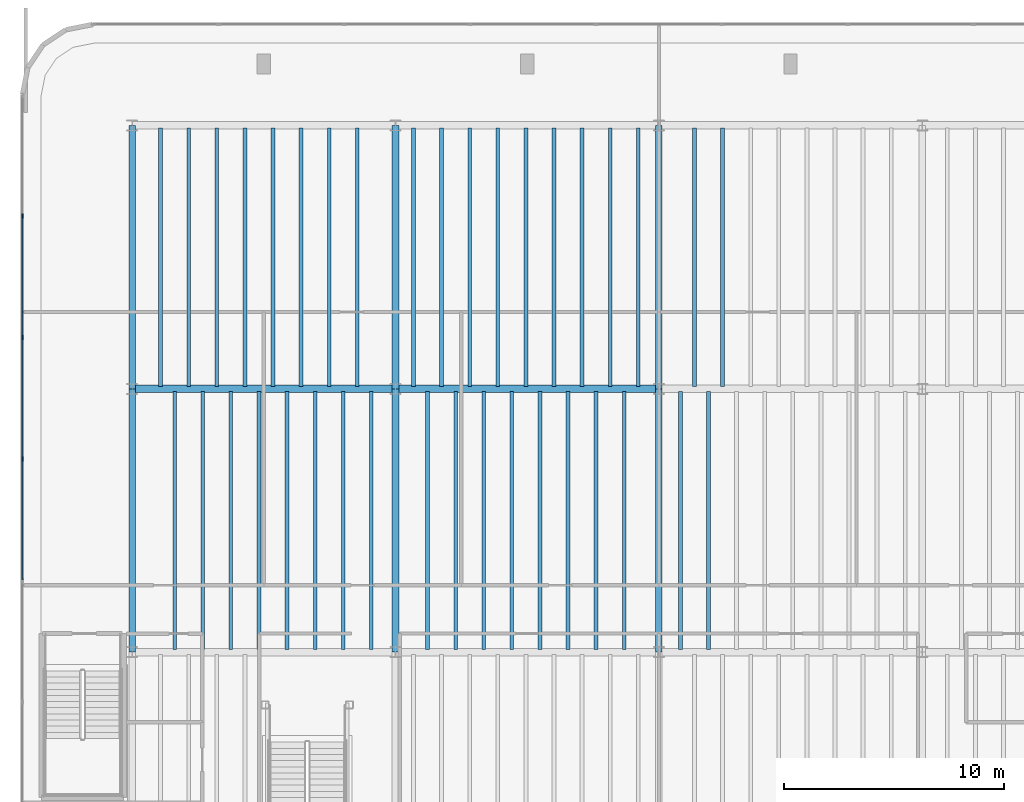
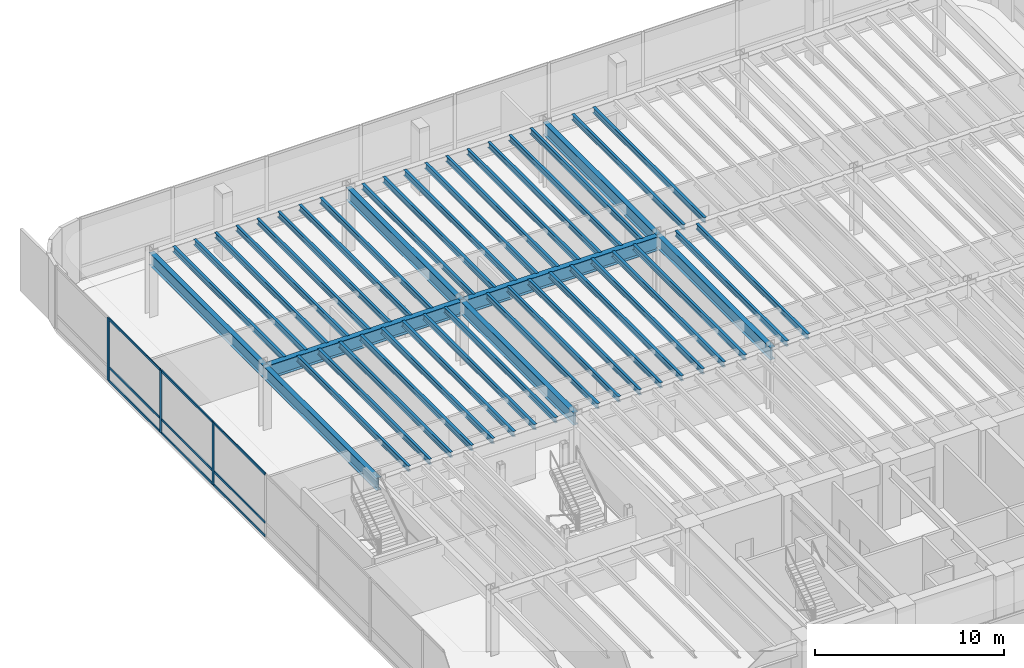
# One storey, part 7 of 18: 45 beams, 12 members, 1 element without a shape of its own.
"""IFC4 building model written with IfcOpenShell, lengths in metres."""

import ifcopenshell
import ifcopenshell.guid

model = None  # the IFC model being written
_history = None  # IfcOwnerHistory: only IFC2X3 demands one
_inside = {}  # id of a spatial element -> (the spatial element, [elements in it])
_under = {}  # id of a project, library or spatial element -> (it, [spatial elements below it])
_declared = {}  # id of a project -> (the project, [libraries it declares])
_typed = {}  # id of a type object -> (the type object, [elements of that type])
_made_of = {}  # id of a material, layer set ... -> (it, [elements and type objects made of it])


def new_model(schema):
    """Start an empty IFC model of exactly this schema.

    Asked for "IFC4X3", IfcOpenShell would pick the latest addendum, in which some entities
    have other attributes; the version numbers below select the first issue.
    IFC2X3 requires an IfcOwnerHistory on every rooted entity: one is made here for all.
    """
    global model, _history
    if schema == "IFC4X3":
        model = ifcopenshell.file(schema_version=(4, 3, 0, 0))
    else:
        model = ifcopenshell.file(schema=schema)
    _inside.clear()
    _under.clear()
    _declared.clear()
    _typed.clear()
    _made_of.clear()
    _history = None
    if model.schema == "IFC2X3":
        org = make("IfcOrganization", Name="unknown")
        user = make(
            "IfcPersonAndOrganization",
            ThePerson=make("IfcPerson", FamilyName="unknown"),
            TheOrganization=org,
        )
        app = make(
            "IfcApplication",
            ApplicationDeveloper=org,
            Version="unknown",
            ApplicationFullName="unknown",
            ApplicationIdentifier="unknown",
        )
        _history = make(
            "IfcOwnerHistory",
            OwningUser=user,
            OwningApplication=app,
            ChangeAction="ADDED",
            CreationDate=0,
        )
    return model


def make(cls, **values):
    """One entity of the class cls with the attributes given. An attribute that is None is left unset."""
    return model.create_entity(
        cls, **{name: value for name, value in values.items() if value is not None}
    )


def rooted(cls, **values):
    """An entity with a GlobalId (a new one), such as an element, a storey or a relation."""
    return make(cls, GlobalId=ifcopenshell.guid.new(), OwnerHistory=_history, **values)


def si_unit(unit_type, name, prefix=None):
    """IfcSIUnit, for example si_unit("LENGTHUNIT", "METRE", prefix="MILLI")."""
    return make("IfcSIUnit", UnitType=unit_type, Prefix=prefix, Name=name)


def assignment(units):
    """IfcUnitAssignment: the units of a project."""
    return None if units is None else make("IfcUnitAssignment", Units=units)


def point(xyz):
    """IfcCartesianPoint."""
    return None if xyz is None else make("IfcCartesianPoint", Coordinates=xyz)


def direction(xyz):
    """IfcDirection."""
    return None if xyz is None else make("IfcDirection", DirectionRatios=xyz)


def frame(location, z_axis=None, x_axis=None):
    """IfcAxis2Placement3D, a coordinate frame: its origin and axes. An axis left out is left unset."""
    return make(
        "IfcAxis2Placement3D",
        Location=point(location),
        Axis=direction(z_axis),
        RefDirection=direction(x_axis),
    )


def frame_2d(location, x_axis=None):
    """IfcAxis2Placement2D, a coordinate frame in the plane: its origin and x axis."""
    return make(
        "IfcAxis2Placement2D", Location=point(location), RefDirection=direction(x_axis)
    )


def origin():
    """The frame at (0, 0, 0) with its axes left unset."""
    return frame((0.0, 0.0, 0.0))


def origin_2d():
    """The frame at (0, 0) in the plane with its x axis left unset."""
    return frame_2d((0.0, 0.0))


def place(relative_to, where):
    """IfcLocalPlacement: puts the frame where relative to a parent placement (None: the world)."""
    return make(
        "IfcLocalPlacement", PlacementRelTo=relative_to, RelativePlacement=where
    )


def context(
    kind, dimensions, precision=None, world=None, true_north=None, identifier=None
):
    """IfcGeometricRepresentationContext, for example the 3D "Model" context."""
    return make(
        "IfcGeometricRepresentationContext",
        ContextIdentifier=identifier,
        ContextType=kind,
        CoordinateSpaceDimension=dimensions,
        Precision=precision,
        WorldCoordinateSystem=world,
        TrueNorth=true_north,
    )


def subcontext(parent, identifier, kind, view, scale=None):
    """IfcGeometricRepresentationSubContext, for example "Body" below "Model"."""
    return make(
        "IfcGeometricRepresentationSubContext",
        ContextIdentifier=identifier,
        ContextType=kind,
        ParentContext=parent,
        TargetScale=scale,
        TargetView=view,
    )


def project(units=None, contexts=None):
    """IfcProject with its units and contexts."""
    return rooted(
        "IfcProject",
        Name="project",
        RepresentationContexts=contexts,
        UnitsInContext=assignment(units),
    )


def spatial(cls, under=None, at=None, **own):
    """A site, building, storey or space (cls), placed at a placement, below another one or the project."""
    s = rooted(cls, ObjectPlacement=at, **own)
    if under is not None:
        _under.setdefault(under.id(), (under, []))[1].append(s)
    return s


def profile(cls, at=None, kind="AREA", **sizes):
    """A parametric profile (cls). Its sizes go by their IFC names, for example OverallWidth=200.0."""
    return make(cls, ProfileType=kind, Position=at, **sizes)


def rectangle(**sizes):
    """IfcRectangleProfileDef."""
    return profile("IfcRectangleProfileDef", **sizes)


def i_section(**sizes):
    """IfcIShapeProfileDef."""
    return profile("IfcIShapeProfileDef", **sizes)


def extrude(swept, where, along, depth):
    """IfcExtrudedAreaSolid: the profile swept, set in the frame where, extruded along a direction by depth."""
    return make(
        "IfcExtrudedAreaSolid",
        SweptArea=swept,
        Position=where,
        ExtrudedDirection=direction(along),
        Depth=depth,
    )


def shape(context_of_items, identifier, shape_type, items):
    """IfcShapeRepresentation: the items that make up one representation, for example the "Body"."""
    return make(
        "IfcShapeRepresentation",
        ContextOfItems=context_of_items,
        RepresentationIdentifier=identifier,
        RepresentationType=shape_type,
        Items=items,
    )


def source(mapping_origin, context_of_items, identifier, shape_type, items):
    """IfcRepresentationMap: a shape defined once, which mapped items show again and again."""
    return make(
        "IfcRepresentationMap",
        MappingOrigin=mapping_origin,
        MappedRepresentation=shape(context_of_items, identifier, shape_type, items),
    )


def transform(
    local_origin,
    x_axis=None,
    y_axis=None,
    z_axis=None,
    scale=None,
    scale2=None,
    scale3=None,
    uniform=True,
):
    """IfcCartesianTransformationOperator3D, or its non-uniform kind. x_axis, y_axis, z_axis: its Axis1, 2, 3."""
    if uniform:
        return make(
            "IfcCartesianTransformationOperator3D",
            Axis1=direction(x_axis),
            Axis2=direction(y_axis),
            LocalOrigin=point(local_origin),
            Scale=scale,
            Axis3=direction(z_axis),
        )
    return make(
        "IfcCartesianTransformationOperator3DnonUniform",
        Axis1=direction(x_axis),
        Axis2=direction(y_axis),
        LocalOrigin=point(local_origin),
        Scale=scale,
        Axis3=direction(z_axis),
        Scale2=scale2,
        Scale3=scale3,
    )


def mapped(mapping_source, mapping_target):
    """IfcMappedItem: shows the shape of a source again, moved by a transform."""
    return make(
        "IfcMappedItem", MappingSource=mapping_source, MappingTarget=mapping_target
    )


def material(Name=None, Category=None):
    """IfcMaterial."""
    return make("IfcMaterial", Name=Name, Category=Category)


def layer(
    of_material, thickness, ventilated=None, Name=None, Category=None, Priority=None
):
    """IfcMaterialLayer: one layer of a wall or slab, of a material (None: an air gap)."""
    return make(
        "IfcMaterialLayer",
        Material=of_material,
        LayerThickness=thickness,
        IsVentilated=ventilated,
        Name=Name,
        Category=Category,
        Priority=Priority,
    )


def layer_set(layers, Name=None):
    """IfcMaterialLayerSet."""
    return make("IfcMaterialLayerSet", MaterialLayers=layers, LayerSetName=Name)


def material_profile(
    of_material, cross_section, Name=None, Category=None, Priority=None
):
    """IfcMaterialProfile: a cross section and its material."""
    return make(
        "IfcMaterialProfile",
        Name=Name,
        Material=of_material,
        Profile=cross_section,
        Priority=Priority,
        Category=Category,
    )


def profile_set(profiles, Name=None, composite=None):
    """IfcMaterialProfileSet."""
    return make(
        "IfcMaterialProfileSet",
        Name=Name,
        MaterialProfiles=profiles,
        CompositeProfile=composite,
    )


def made_of(thing, what):
    """Note that an element or type object is made of a material, layer set ...; save() writes the relation."""
    if what is not None:
        _made_of.setdefault(what.id(), (what, []))[1].append(thing)
    return thing


def type_object(cls, material=None, **own):
    """A type object (cls), such as IfcWallType, which elements share."""
    return made_of(rooted(cls, **own), material)


def element(
    cls,
    number,
    at=None,
    inside=None,
    cuts=None,
    type_object=None,
    material=None,
    context=None,
    identifier="Body",
    shape_type=None,
    held_by="IfcProductDefinitionShape",
    body=None,
    shapes=None,
    **own,
):
    """One element of the class cls, such as IfcWall. Its Tag is "e" and its number.

    at: its placement. inside: the storey or other place that contains it. cuts: it is an
    opening in that element (IfcRelVoidsElement). A single representation is given by context,
    identifier, shape_type and body (its items); several are given by shapes. held_by: the class
    of the entity that holds the representations. save() writes the other relations.
    """
    e = rooted(cls, Tag="e%d" % number, ObjectPlacement=at, **own)
    if body is not None:
        shapes = [shape(context, identifier, shape_type, body)]
    if shapes is not None:
        e.Representation = make(held_by, Representations=shapes)
    if inside is not None:
        _inside.setdefault(inside.id(), (inside, []))[1].append(e)
    if cuts is not None:
        rooted(
            "IfcRelVoidsElement", RelatingBuildingElement=cuts, RelatedOpeningElement=e
        )
    if type_object is not None:
        _typed.setdefault(type_object.id(), (type_object, []))[1].append(e)
    return made_of(e, material)


def aggregate(whole, parts):
    """IfcRelAggregates: a whole, such as a stair, and the parts it consists of."""
    return rooted("IfcRelAggregates", RelatingObject=whole, RelatedObjects=parts)


def save(model, path):
    """Write the relations noted so far, then the file.

    IfcRelAggregates (storeys below a building ...), IfcRelContainedInSpatialStructure (elements
    in a storey), IfcRelDefinesByType, IfcRelAssociatesMaterial and IfcRelDeclares: one each for
    every whole, place, type object, material and project.
    """
    for whole, parts in _under.values():
        aggregate(whole, parts)
    for where, things in _inside.values():
        rooted(
            "IfcRelContainedInSpatialStructure",
            RelatedElements=things,
            RelatingStructure=where,
        )
    for kind, things in _typed.values():
        rooted("IfcRelDefinesByType", RelatedObjects=things, RelatingType=kind)
    for what, things in _made_of.values():
        rooted("IfcRelAssociatesMaterial", RelatedObjects=things, RelatingMaterial=what)
    for by, libraries in _declared.values():
        rooted("IfcRelDeclares", RelatingContext=by, RelatedDefinitions=libraries)
    model.write(path)


model = new_model("IFC4")

# Units and contexts
model_context = context("Model", 3, precision=1e-05, world=origin(), true_north=direction((0.0, 1.0)))
body_context = subcontext(model_context, "Body", "Model", "MODEL_VIEW")
ifc_project = project(units=[si_unit("LENGTHUNIT", "METRE"), si_unit("AREAUNIT", "SQUARE_METRE"), si_unit("VOLUMEUNIT", "CUBIC_METRE"), si_unit("PLANEANGLEUNIT", "RADIAN"), si_unit("MASSUNIT", "GRAM", prefix="KILO")], contexts=[model_context])

# Site, building, storey
site_placement = place(None, origin())
site = spatial("IfcSite", under=ifc_project, at=site_placement, CompositionType="ELEMENT")
building_placement = place(site_placement, origin())
building = spatial("IfcBuilding", under=site, at=building_placement, Name="Brelvock Crest Care Tower", CompositionType="ELEMENT")
storey_placement = place(building_placement, frame((0.0, 0.0, 5.39990234375)))
storey = spatial("IfcBuildingStorey", under=building, at=storey_placement, Name="L01", CompositionType="ELEMENT", Elevation=5.39990234375)

# Beams
ifc_material_1 = material(Name="Steel Grade 350", Category="steel")
ifc_material_profile_1 = material_profile(ifc_material_1, i_section(OverallWidth=0.300048828125, OverallDepth=0.800048828125, WebThickness=0.013916015625, FlangeThickness=0.02197265625, at=origin_2d()), Name="800WB192")
ifc_profile_set_1 = profile_set([ifc_material_profile_1], Name="Steel Grade 350")
beam_type_1 = type_object("IfcBeamType", Name="BM-G5", PredefinedType="BEAM", material=ifc_profile_set_1)
shared_shape_1 = source(origin(), body_context, "Body", "SweptSolid", [
    extrude(i_section(OverallWidth=0.300048828125, OverallDepth=0.800048828125, WebThickness=0.013916015625, FlangeThickness=0.02197265625, at=origin_2d()), origin(), (0.0, 0.0, 1.0), 12.0),
])
for number, where, z_axis, x_axis, name in (
    (1, (12.0, 30.0, 3.64013671875), (0.0, 1.0, 0.0), (-1.0, 0.0, 0.0), "BM-PODY-L01-12-30"),
    (2, (12.0, 42.0, 3.64013671875), (0.0, 1.0, 0.0), (-1.0, 0.0, 0.0), "BM-PODY-L01-12-42"),
    (3, (24.0, 30.0, 3.64013671875), (0.0, 1.0, 0.0), (-1.0, 0.0, 0.0), "BM-PODY-L01-24-30"),
    (4, (24.0, 42.0, 3.64013671875), (0.0, 1.0, 0.0), (-1.0, 0.0, 0.0), "BM-PODY-L01-24-42"),
    (5, (36.0, 30.0, 3.64013671875), (0.0, 1.0, 0.0), (-1.0, 0.0, 0.0), "BM-PODY-L01-36-30"),
    (6, (36.0, 42.0, 3.64013671875), (0.0, 1.0, 0.0), (-1.0, 0.0, 0.0), "BM-PODY-L01-36-42"),
):
    element("IfcBeam", number, at=place(storey_placement, frame(where, z_axis=z_axis, x_axis=x_axis)), inside=storey, type_object=beam_type_1, Name=name, PredefinedType="BEAM", context=body_context, shape_type="MappedRepresentation", body=[
        mapped(shared_shape_1, transform((0.0, 0.0, 0.0), x_axis=(1.0, 0.0, 0.0), y_axis=(0.0, 1.0, 0.0), z_axis=(0.0, 0.0, 1.0), scale=1.0)),
    ])
ifc_material_profile_2 = material_profile(ifc_material_1, i_section(OverallWidth=0.35009765625, OverallDepth=0.89990234375, WebThickness=0.01611328125, FlangeThickness=0.028076171875, at=origin_2d()), Name="900WB257")
ifc_profile_set_2 = profile_set([ifc_material_profile_2], Name="Steel Grade 350")
beam_type_2 = type_object("IfcBeamType", Name="BM-G6", PredefinedType="BEAM", material=ifc_profile_set_2)
shared_shape_2 = source(origin(), body_context, "Body", "SweptSolid", [
    extrude(i_section(OverallWidth=0.35009765625, OverallDepth=0.89990234375, WebThickness=0.01611328125, FlangeThickness=0.028076171875, at=origin_2d()), origin(), (0.0, 0.0, 1.0), 12.0),
])
for number, where, z_axis, x_axis, name in (
    (7, (12.0, 42.0, 3.590087890625), (1.0, 0.0, 0.0), (0.0, 1.0, 0.0), "BM-PODX-L01-42-12"),
    (8, (24.0, 42.0, 3.590087890625), (1.0, 0.0, 0.0), (0.0, 1.0, 0.0), "BM-PODX-L01-42-24"),
):
    element("IfcBeam", number, at=place(storey_placement, frame(where, z_axis=z_axis, x_axis=x_axis)), inside=storey, type_object=beam_type_2, Name=name, PredefinedType="BEAM", context=body_context, shape_type="MappedRepresentation", body=[
        mapped(shared_shape_2, transform((0.0, 0.0, 0.0), x_axis=(1.0, 0.0, 0.0), y_axis=(0.0, 1.0, 0.0), z_axis=(0.0, 0.0, 1.0), scale=1.0)),
    ])
ifc_material_profile_3 = material_profile(ifc_material_1, i_section(OverallWidth=0.172119140625, OverallDepth=0.35888671875, WebThickness=0.008056640625, FlangeThickness=0.012939453125, FilletRadius=0.011474609375, at=origin_2d()), Name="360UB56.7")
ifc_profile_set_3 = profile_set([ifc_material_profile_3], Name="Steel Grade 350")
beam_type_3 = type_object("IfcBeamType", Name="BM-J1", PredefinedType="JOIST", material=ifc_profile_set_3)
shared_shape_3 = source(origin(), body_context, "Body", "SweptSolid", [
    extrude(i_section(OverallWidth=0.172119140625, OverallDepth=0.35888671875, WebThickness=0.008056640625, FlangeThickness=0.012939453125, FilletRadius=0.011474609375, at=origin_2d()), origin(), (0.0, 0.0, 1.0), 11.77001953125),
])
for number, where, z_axis, x_axis, name in (
    (9, (13.93994140625, 30.114990234375, 3.860595703125), (0.0, 1.0, 0.0), (-1.0, 0.0, 0.0), "BM-PODJ-L01-1394-30"),
    (10, (13.300048828125, 42.114990234375, 3.860595703125), (0.0, 1.0, 0.0), (-1.0, 0.0, 0.0), "BM-PODJ-L01-1330-42"),
    (11, (15.219970703125, 30.114990234375, 3.860595703125), (0.0, 1.0, 0.0), (-1.0, 0.0, 0.0), "BM-PODJ-L01-1522-30"),
    (12, (14.580078125, 42.114990234375, 3.860595703125), (0.0, 1.0, 0.0), (-1.0, 0.0, 0.0), "BM-PODJ-L01-1458-42"),
    (13, (16.5, 30.114990234375, 3.860595703125), (0.0, 1.0, 0.0), (-1.0, 0.0, 0.0), "BM-PODJ-L01-1650-30"),
    (14, (15.860107421875, 42.114990234375, 3.860595703125), (0.0, 1.0, 0.0), (-1.0, 0.0, 0.0), "BM-PODJ-L01-1586-42"),
    (15, (17.780029296875, 30.114990234375, 3.860595703125), (0.0, 1.0, 0.0), (-1.0, 0.0, 0.0), "BM-PODJ-L01-1778-30"),
    (16, (17.139892578125, 42.114990234375, 3.860595703125), (0.0, 1.0, 0.0), (-1.0, 0.0, 0.0), "BM-PODJ-L01-1714-42"),
    (17, (19.06005859375, 30.114990234375, 3.860595703125), (0.0, 1.0, 0.0), (-1.0, 0.0, 0.0), "BM-PODJ-L01-1906-30"),
    (18, (18.419921875, 42.114990234375, 3.860595703125), (0.0, 1.0, 0.0), (-1.0, 0.0, 0.0), "BM-PODJ-L01-1842-42"),
    (19, (20.340087890625, 30.114990234375, 3.860595703125), (0.0, 1.0, 0.0), (-1.0, 0.0, 0.0), "BM-PODJ-L01-2034-30"),
    (20, (19.699951171875, 42.114990234375, 3.860595703125), (0.0, 1.0, 0.0), (-1.0, 0.0, 0.0), "BM-PODJ-L01-1970-42"),
    (21, (21.6201171875, 30.114990234375, 3.860595703125), (0.0, 1.0, 0.0), (-1.0, 0.0, 0.0), "BM-PODJ-L01-2162-30"),
    (22, (20.97998046875, 42.114990234375, 3.860595703125), (0.0, 1.0, 0.0), (-1.0, 0.0, 0.0), "BM-PODJ-L01-2098-42"),
    (23, (22.89990234375, 30.114990234375, 3.860595703125), (0.0, 1.0, 0.0), (-1.0, 0.0, 0.0), "BM-PODJ-L01-2290-30"),
    (24, (22.260009765625, 42.114990234375, 3.860595703125), (0.0, 1.0, 0.0), (-1.0, 0.0, 0.0), "BM-PODJ-L01-2226-42"),
    (25, (25.4599609375, 30.114990234375, 3.860595703125), (0.0, 1.0, 0.0), (-1.0, 0.0, 0.0), "BM-PODJ-L01-2546-30"),
    (26, (24.820068359375, 42.114990234375, 3.860595703125), (0.0, 1.0, 0.0), (-1.0, 0.0, 0.0), "BM-PODJ-L01-2482-42"),
    (27, (26.739990234375, 30.114990234375, 3.860595703125), (0.0, 1.0, 0.0), (-1.0, 0.0, 0.0), "BM-PODJ-L01-2674-30"),
    (28, (26.10009765625, 42.114990234375, 3.860595703125), (0.0, 1.0, 0.0), (-1.0, 0.0, 0.0), "BM-PODJ-L01-2610-42"),
    (29, (28.02001953125, 30.114990234375, 3.860595703125), (0.0, 1.0, 0.0), (-1.0, 0.0, 0.0), "BM-PODJ-L01-2802-30"),
    (30, (27.3798828125, 42.114990234375, 3.860595703125), (0.0, 1.0, 0.0), (-1.0, 0.0, 0.0), "BM-PODJ-L01-2738-42"),
    (31, (29.300048828125, 30.114990234375, 3.860595703125), (0.0, 1.0, 0.0), (-1.0, 0.0, 0.0), "BM-PODJ-L01-2930-30"),
    (32, (28.659912109375, 42.114990234375, 3.860595703125), (0.0, 1.0, 0.0), (-1.0, 0.0, 0.0), "BM-PODJ-L01-2866-42"),
    (33, (30.580078125, 30.114990234375, 3.860595703125), (0.0, 1.0, 0.0), (-1.0, 0.0, 0.0), "BM-PODJ-L01-3058-30"),
    (34, (29.93994140625, 42.114990234375, 3.860595703125), (0.0, 1.0, 0.0), (-1.0, 0.0, 0.0), "BM-PODJ-L01-2994-42"),
    (35, (31.860107421875, 30.114990234375, 3.860595703125), (0.0, 1.0, 0.0), (-1.0, 0.0, 0.0), "BM-PODJ-L01-3186-30"),
    (36, (31.219970703125, 42.114990234375, 3.860595703125), (0.0, 1.0, 0.0), (-1.0, 0.0, 0.0), "BM-PODJ-L01-3122-42"),
    (37, (33.139892578125, 30.114990234375, 3.860595703125), (0.0, 1.0, 0.0), (-1.0, 0.0, 0.0), "BM-PODJ-L01-3314-30"),
    (38, (32.5, 42.114990234375, 3.860595703125), (0.0, 1.0, 0.0), (-1.0, 0.0, 0.0), "BM-PODJ-L01-3250-42"),
    (39, (34.419921875, 30.114990234375, 3.860595703125), (0.0, 1.0, 0.0), (-1.0, 0.0, 0.0), "BM-PODJ-L01-3442-30"),
    (40, (33.780029296875, 42.114990234375, 3.860595703125), (0.0, 1.0, 0.0), (-1.0, 0.0, 0.0), "BM-PODJ-L01-3378-42"),
    (41, (35.06005859375, 42.114990234375, 3.860595703125), (0.0, 1.0, 0.0), (-1.0, 0.0, 0.0), "BM-PODJ-L01-3506-42"),
    (42, (36.97998046875, 30.114990234375, 3.860595703125), (0.0, 1.0, 0.0), (-1.0, 0.0, 0.0), "BM-PODJ-L01-3698-30"),
    (43, (38.260009765625, 30.114990234375, 3.860595703125), (0.0, 1.0, 0.0), (-1.0, 0.0, 0.0), "BM-PODJ-L01-3826-30"),
    (44, (37.6201171875, 42.114990234375, 3.860595703125), (0.0, 1.0, 0.0), (-1.0, 0.0, 0.0), "BM-PODJ-L01-3762-42"),
    (45, (38.89990234375, 42.114990234375, 3.860595703125), (0.0, 1.0, 0.0), (-1.0, 0.0, 0.0), "BM-PODJ-L01-3890-42"),
):
    element("IfcBeam", number, at=place(storey_placement, frame(where, z_axis=z_axis, x_axis=x_axis)), inside=storey, type_object=beam_type_3, Name=name, PredefinedType="JOIST", context=body_context, shape_type="MappedRepresentation", body=[
        mapped(shared_shape_3, transform((0.0, 0.0, 0.0), x_axis=(1.0, 0.0, 0.0), y_axis=(0.0, 1.0, 0.0), z_axis=(0.0, 0.0, 1.0), scale=1.0)),
    ])

# Curtain wall, members
ifc_material_2 = material(Name="Dark Glass Double Glazed Low-E", Category="glass")
ifc_layer = layer(ifc_material_2, 0.179931640625, Name="CWS-1")
ifc_layer_set = layer_set([ifc_layer], Name="Dark Glass Double Glazed Low-E")
curtain_wall_type = type_object("IfcCurtainWallType", Name="CWS-1", PredefinedType="NOTDEFINED", material=ifc_layer_set)
curtain_wall_placement = place(storey_placement, origin())
curtain_wall = element("IfcCurtainWall", 46, at=curtain_wall_placement, inside=storey, type_object=curtain_wall_type, Name="L01 Curtain Wall E04", PredefinedType="NOTDEFINED")
ifc_material_3 = material(Name="Aluminium 6063-T6", Category="aluminium")
ifc_material_profile_4 = material_profile(ifc_material_3, rectangle(XDim=0.06494140625, YDim=0.199951171875, at=origin_2d()), Name="ALU65x200")
ifc_profile_set_4 = profile_set([ifc_material_profile_4], Name="Aluminium 6063-T6")
member_type_1 = type_object("IfcMemberType", Name="CWM-1", PredefinedType="MULLION", material=ifc_profile_set_4)
shared_shape_4 = source(origin(), body_context, "Body", "SweptSolid", [
    extrude(rectangle(XDim=0.06494140625, YDim=0.199951171875, at=origin_2d()), origin(), (0.0, 0.0, 1.0), 4.0400390625),
])
member_1_placement = place(storey_placement, frame((7.0, 38.800048828125, 0.0), z_axis=(0.0, 0.0, 1.0), x_axis=(-1.0, 0.0, 0.0)))
member_1 = element("IfcMember", 47, at=member_1_placement, type_object=member_type_1, Name="CW-1 mullion 7", PredefinedType="MULLION", context=body_context, shape_type="MappedRepresentation", body=[
    mapped(shared_shape_4, transform((0.0, 0.0, 0.0), x_axis=(1.0, 0.0, 0.0), y_axis=(0.0, 1.0, 0.0), z_axis=(0.0, 0.0, 1.0), scale=1.0)),
])
member_2_placement = place(storey_placement, frame((7.0, 44.333251953125, 0.0), z_axis=(0.0, 0.0, 1.0), x_axis=(-1.0, 0.0, 0.0)))
member_2 = element("IfcMember", 48, at=member_2_placement, type_object=member_type_1, Name="CW-1 mullion 8", PredefinedType="MULLION", context=body_context, shape_type="MappedRepresentation", body=[
    mapped(shared_shape_4, transform((0.0, 0.0, 0.0), x_axis=(1.0, 0.0, 0.0), y_axis=(0.0, 1.0, 0.0), z_axis=(0.0, 0.0, 1.0), scale=1.0)),
])
member_3_placement = place(storey_placement, frame((7.0, 49.86669921875, 0.0), z_axis=(0.0, 0.0, 1.0), x_axis=(-1.0, 0.0, 0.0)))
member_3 = element("IfcMember", 49, at=member_3_placement, type_object=member_type_1, Name="CW-1 mullion 9", PredefinedType="MULLION", context=body_context, shape_type="MappedRepresentation", body=[
    mapped(shared_shape_4, transform((0.0, 0.0, 0.0), x_axis=(1.0, 0.0, 0.0), y_axis=(0.0, 1.0, 0.0), z_axis=(0.0, 0.0, 1.0), scale=1.0)),
])
ifc_material_profile_5 = material_profile(ifc_material_3, rectangle(XDim=0.06494140625, YDim=0.14990234375, at=origin_2d()), Name="ALU65x150")
ifc_profile_set_5 = profile_set([ifc_material_profile_5], Name="Aluminium 6063-T6")
member_type_2 = type_object("IfcMemberType", Name="CWT-1", PredefinedType="USERDEFINED", material=ifc_profile_set_5)
shared_shape_5 = source(origin(), body_context, "Body", "SweptSolid", [
    extrude(rectangle(XDim=0.06494140625, YDim=0.14990234375, at=origin_2d()), origin(), (0.0, 0.0, 1.0), 5.468505859375),
])
member_4_placement = place(storey_placement, frame((7.0, 33.299072265625, 0.03271484375), z_axis=(0.0, 1.0, 0.0), x_axis=(-1.0, 0.0, 0.0)))
member_4 = element("IfcMember", 50, at=member_4_placement, type_object=member_type_2, Name="CW-1 transom 6.1", ObjectType="TRANSOM", PredefinedType="USERDEFINED", context=body_context, shape_type="MappedRepresentation", body=[
    mapped(shared_shape_5, transform((0.0, 0.0, 0.0), x_axis=(1.0, 0.0, 0.0), y_axis=(0.0, 1.0, 0.0), z_axis=(0.0, 0.0, 1.0), scale=1.0)),
])
member_5_placement = place(storey_placement, frame((7.0, 33.299072265625, 0.900146484375), z_axis=(0.0, 1.0, 0.0), x_axis=(-1.0, 0.0, 0.0)))
member_5 = element("IfcMember", 51, at=member_5_placement, type_object=member_type_2, Name="CW-1 transom 6.2", ObjectType="TRANSOM", PredefinedType="USERDEFINED", context=body_context, shape_type="MappedRepresentation", body=[
    mapped(shared_shape_5, transform((0.0, 0.0, 0.0), x_axis=(1.0, 0.0, 0.0), y_axis=(0.0, 1.0, 0.0), z_axis=(0.0, 0.0, 1.0), scale=1.0)),
])
member_6_placement = place(storey_placement, frame((7.0, 33.299072265625, 4.007568359375), z_axis=(0.0, 1.0, 0.0), x_axis=(-1.0, 0.0, 0.0)))
member_6 = element("IfcMember", 52, at=member_6_placement, type_object=member_type_2, Name="CW-1 transom 6.3", ObjectType="TRANSOM", PredefinedType="USERDEFINED", context=body_context, shape_type="MappedRepresentation", body=[
    mapped(shared_shape_5, transform((0.0, 0.0, 0.0), x_axis=(1.0, 0.0, 0.0), y_axis=(0.0, 1.0, 0.0), z_axis=(0.0, 0.0, 1.0), scale=1.0)),
])
member_7_placement = place(storey_placement, frame((7.0, 44.36572265625, 0.03271484375), z_axis=(0.0, 1.0, 0.0), x_axis=(-1.0, 0.0, 0.0)))
member_7 = element("IfcMember", 53, at=member_7_placement, type_object=member_type_2, Name="CW-1 transom 8.1", ObjectType="TRANSOM", PredefinedType="USERDEFINED", context=body_context, shape_type="MappedRepresentation", body=[
    mapped(shared_shape_5, transform((0.0, 0.0, 0.0), x_axis=(1.0, 0.0, 0.0), y_axis=(0.0, 1.0, 0.0), z_axis=(0.0, 0.0, 1.0), scale=1.0)),
])
member_8_placement = place(storey_placement, frame((7.0, 44.36572265625, 0.900146484375), z_axis=(0.0, 1.0, 0.0), x_axis=(-1.0, 0.0, 0.0)))
member_8 = element("IfcMember", 54, at=member_8_placement, type_object=member_type_2, Name="CW-1 transom 8.2", ObjectType="TRANSOM", PredefinedType="USERDEFINED", context=body_context, shape_type="MappedRepresentation", body=[
    mapped(shared_shape_5, transform((0.0, 0.0, 0.0), x_axis=(1.0, 0.0, 0.0), y_axis=(0.0, 1.0, 0.0), z_axis=(0.0, 0.0, 1.0), scale=1.0)),
])
member_9_placement = place(storey_placement, frame((7.0, 44.36572265625, 4.007568359375), z_axis=(0.0, 1.0, 0.0), x_axis=(-1.0, 0.0, 0.0)))
member_9 = element("IfcMember", 55, at=member_9_placement, type_object=member_type_2, Name="CW-1 transom 8.3", ObjectType="TRANSOM", PredefinedType="USERDEFINED", context=body_context, shape_type="MappedRepresentation", body=[
    mapped(shared_shape_5, transform((0.0, 0.0, 0.0), x_axis=(1.0, 0.0, 0.0), y_axis=(0.0, 1.0, 0.0), z_axis=(0.0, 0.0, 1.0), scale=1.0)),
])
shared_shape_6 = source(origin(), body_context, "Body", "SweptSolid", [
    extrude(rectangle(XDim=0.06494140625, YDim=0.14990234375, at=origin_2d()), origin(), (0.0, 0.0, 1.0), 5.46826171875),
])
member_10_placement = place(storey_placement, frame((7.0, 38.83251953125, 0.03271484375), z_axis=(0.0, 1.0, 0.0), x_axis=(-1.0, 0.0, 0.0)))
member_10 = element("IfcMember", 56, at=member_10_placement, type_object=member_type_2, Name="CW-1 transom 7.1", ObjectType="TRANSOM", PredefinedType="USERDEFINED", context=body_context, shape_type="MappedRepresentation", body=[
    mapped(shared_shape_6, transform((0.0, 0.0, 0.0), x_axis=(1.0, 0.0, 0.0), y_axis=(0.0, 1.0, 0.0), z_axis=(0.0, 0.0, 1.0), scale=1.0)),
])
member_11_placement = place(storey_placement, frame((7.0, 38.83251953125, 0.900146484375), z_axis=(0.0, 1.0, 0.0), x_axis=(-1.0, 0.0, 0.0)))
member_11 = element("IfcMember", 57, at=member_11_placement, type_object=member_type_2, Name="CW-1 transom 7.2", ObjectType="TRANSOM", PredefinedType="USERDEFINED", context=body_context, shape_type="MappedRepresentation", body=[
    mapped(shared_shape_6, transform((0.0, 0.0, 0.0), x_axis=(1.0, 0.0, 0.0), y_axis=(0.0, 1.0, 0.0), z_axis=(0.0, 0.0, 1.0), scale=1.0)),
])
member_12_placement = place(storey_placement, frame((7.0, 38.83251953125, 4.007568359375), z_axis=(0.0, 1.0, 0.0), x_axis=(-1.0, 0.0, 0.0)))
member_12 = element("IfcMember", 58, at=member_12_placement, type_object=member_type_2, Name="CW-1 transom 7.3", ObjectType="TRANSOM", PredefinedType="USERDEFINED", context=body_context, shape_type="MappedRepresentation", body=[
    mapped(shared_shape_6, transform((0.0, 0.0, 0.0), x_axis=(1.0, 0.0, 0.0), y_axis=(0.0, 1.0, 0.0), z_axis=(0.0, 0.0, 1.0), scale=1.0)),
])
aggregate(curtain_wall, [member_1, member_2, member_3, member_4, member_5, member_6, member_10, member_11, member_12, member_7, member_8, member_9])

save(model, "model.ifc")
